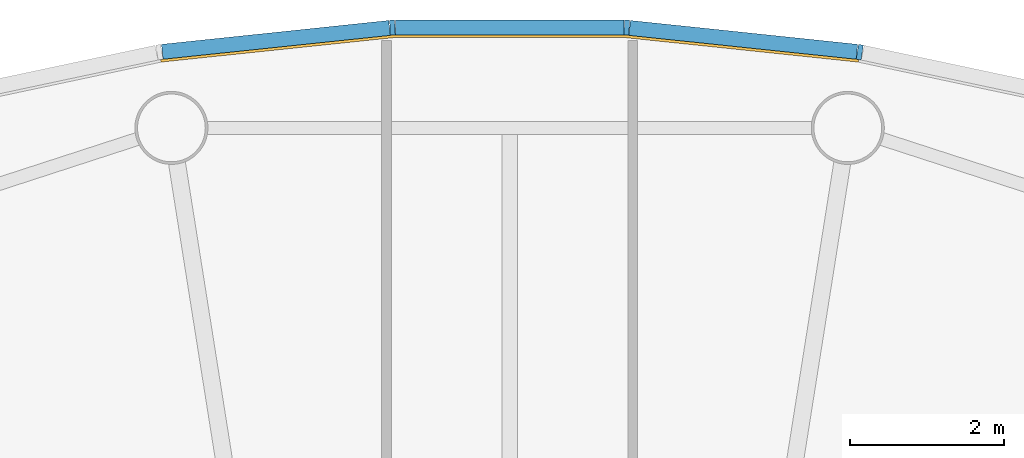
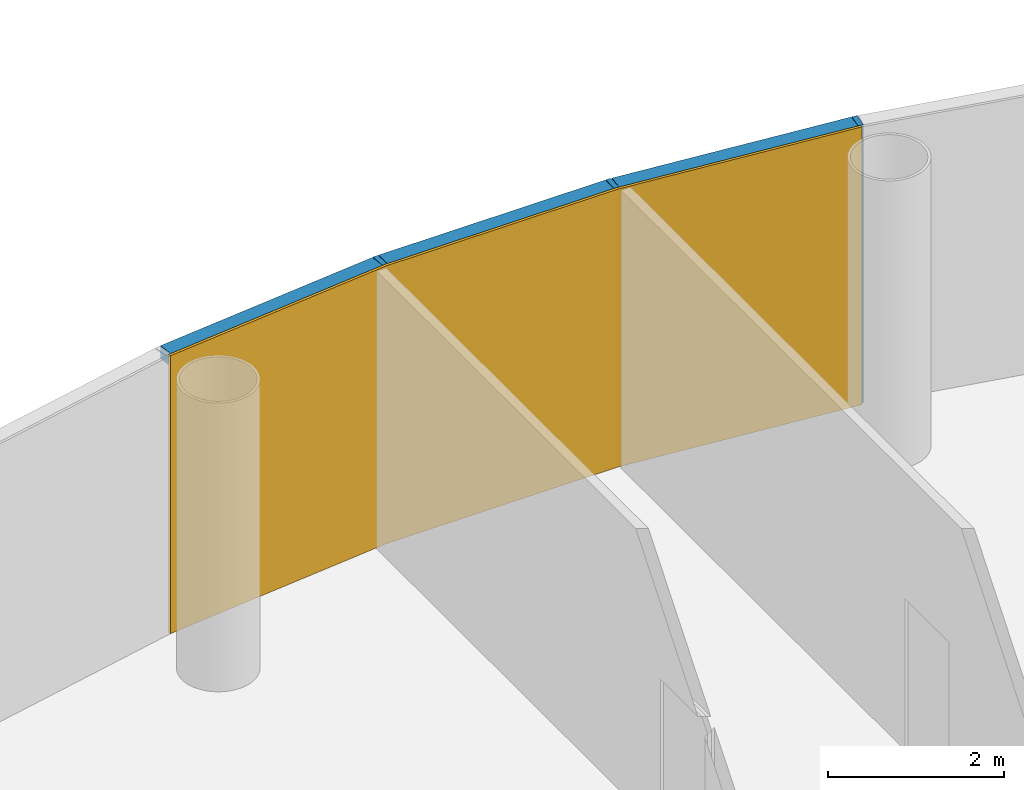
# One storey, part 11 of 13: 6 members, 1 curtain wall.
"""IFC4 building model written with IfcOpenShell, lengths in metres."""

from ifc_helpers import new_model, si_unit, direction, frame, origin, origin_2d, place, context, subcontext, project, spatial, polyline, rectangle, outline, extrude, material, layer, layer_set, material_profile, profile_set, type_object, element, aggregate, save


model = new_model("IFC4")

# Units and contexts
model_context = context("Model", 3, precision=1e-05, world=origin(), true_north=direction((0.0, 1.0)))
body_context = subcontext(model_context, "Body", "Model", "MODEL_VIEW")
ifc_project = project(units=[si_unit("LENGTHUNIT", "METRE"), si_unit("AREAUNIT", "SQUARE_METRE"), si_unit("VOLUMEUNIT", "CUBIC_METRE"), si_unit("PLANEANGLEUNIT", "RADIAN"), si_unit("MASSUNIT", "GRAM", prefix="KILO")], contexts=[model_context])

# Member
ifc_material_1 = material(Name="Anodised aluminium", Category="aluminium")
ifc_material_profile_1 = material_profile(ifc_material_1, rectangle(XDim=0.06494140625, YDim=0.195068359375, at=origin_2d()), Name="Mullion 65 x 195 mm anodised aluminium")
ifc_profile_set_1 = profile_set([ifc_material_profile_1], Name="Anodised aluminium")
member_type_1 = type_object("IfcMemberType", Name="Mullion 65 x 195 mm anodised aluminium", PredefinedType="MULLION", material=ifc_profile_set_1)
site_placement = place(None, origin())
building_placement = place(site_placement, origin())
storey_placement = place(building_placement, frame((0.0, 0.0, 286.0)))
member_1_placement = place(storey_placement, frame((94.5517578125, 108.7392578125, 0.0), z_axis=(0.0, 0.0, 1.0), x_axis=(-0.987688340595, 0.15643446504, 0.0)))
member_1 = element("IfcMember", 1, at=member_1_placement, type_object=member_type_1, Name="MULLION L65-12", PredefinedType="MULLION", context=body_context, shape_type="SweptSolid", body=[
    extrude(rectangle(XDim=0.06494140625, YDim=0.195068359375, at=origin_2d()), origin(), (0.0, 0.0, 1.0), 3.85009765625),
])

member_2_placement = place(storey_placement, frame((91.52294921875, 109.0576171875, 0.0), z_axis=(0.0, 0.0, 1.0), x_axis=(-0.998629534755, 0.052335956243, 0.0)))
member_2 = element("IfcMember", 2, at=member_2_placement, type_object=member_type_1, Name="MULLION L65-13", PredefinedType="MULLION", context=body_context, shape_type="SweptSolid", body=[
    extrude(rectangle(XDim=0.06494140625, YDim=0.195068359375, at=origin_2d()), origin(), (0.0, 0.0, 1.0), 3.85009765625),
])

member_3_placement = place(storey_placement, frame((88.47705078125, 109.0576171875, 0.0), z_axis=(0.0, 0.0, 1.0), x_axis=(-0.998629534755, -0.052335956243, 0.0)))
member_3 = element("IfcMember", 3, at=member_3_placement, type_object=member_type_1, Name="MULLION L65-14", PredefinedType="MULLION", context=body_context, shape_type="SweptSolid", body=[
    extrude(rectangle(XDim=0.06494140625, YDim=0.195068359375, at=origin_2d()), origin(), (0.0, 0.0, 1.0), 3.85009765625),
])

ifc_material_2 = material(Name="Anodised aluminium", Category="aluminium")
ifc_material_profile_2 = material_profile(ifc_material_2, rectangle(XDim=0.195068359375, YDim=0.179931640625, at=origin_2d()), Name="Transom 180 x 195 mm anodised aluminium")
ifc_profile_set_2 = profile_set([ifc_material_profile_2], Name="Anodised aluminium")
member_type_2 = type_object("IfcMemberType", Name="Transom 180 x 195 mm anodised aluminium", PredefinedType="USERDEFINED", material=ifc_profile_set_2)
member_4_placement = place(storey_placement, frame((94.514404296875, 108.743408203125, 3.760009765625), z_axis=(-0.994528397827, 0.104466577987, 0.0), x_axis=(-0.104466577987, -0.994528397827, 0.0)))
member_4 = element("IfcMember", 4, at=member_4_placement, type_object=member_type_2, Name="TRANSOM L65-12", ObjectType="TRANSOM", PredefinedType="USERDEFINED", context=body_context, shape_type="SweptSolid", body=[
    extrude(rectangle(XDim=0.195068359375, YDim=0.179931640625, at=origin_2d()), origin(), (0.0, 0.0, 1.0), 2.970458984375),
])

member_5_placement = place(storey_placement, frame((91.4853515625, 109.057861328125, 3.760009765625), z_axis=(-1.0, 0.0, 0.0), x_axis=(0.0, -1.0, 0.0)))
member_5 = element("IfcMember", 5, at=member_5_placement, type_object=member_type_2, Name="TRANSOM L65-13", ObjectType="TRANSOM", PredefinedType="USERDEFINED", context=body_context, shape_type="SweptSolid", body=[
    extrude(rectangle(XDim=0.195068359375, YDim=0.179931640625, at=origin_2d()), origin(), (0.0, 0.0, 1.0), 2.970703125),
])

member_6_placement = place(storey_placement, frame((88.439697265625, 109.0537109375, 3.760009765625), z_axis=(-0.994528397827, -0.104466577987, 0.0), x_axis=(0.104466577987, -0.994528397827, 0.0)))
member_6 = element("IfcMember", 6, at=member_6_placement, type_object=member_type_2, Name="TRANSOM L65-14", ObjectType="TRANSOM", PredefinedType="USERDEFINED", context=body_context, shape_type="SweptSolid", body=[
    extrude(rectangle(XDim=0.195068359375, YDim=0.179931640625, at=origin_2d()), origin(), (0.0, 0.0, 1.0), 2.970458984375),
])

# Site, building, storey
site = spatial("IfcSite", under=ifc_project, at=site_placement, CompositionType="ELEMENT")
building = spatial("IfcBuilding", under=site, at=building_placement, Name="Entoto Ring Tower", CompositionType="ELEMENT")
storey = spatial("IfcBuildingStorey", under=building, at=storey_placement, Name="L65", CompositionType="ELEMENT", Elevation=286.0)

# Curtain wall
ifc_material_3 = material(Name="Clear low-iron glass", Category="glass")
ifc_layer = layer(ifc_material_3, 0.033935546875)
ifc_layer_set = layer_set([ifc_layer], Name="Clear low-iron glass")
curtain_wall_type = type_object("IfcCurtainWallType", Name="Curtain wall system CW5 glazing 34 mm", PredefinedType="NOTDEFINED", material=ifc_layer_set)
curtain_wall_placement = place(storey_placement, origin())
curtain_wall = element("IfcCurtainWall", 7, at=curtain_wall_placement, inside=storey, type_object=curtain_wall_type, Name="CW5 L65-05", PredefinedType="NOTDEFINED", context=body_context, shape_type="SweptSolid", body=[
    extrude(outline(polyline([(94.53662109375, 108.64306640625), (91.517822265625, 108.960205078125), (88.482177734375, 108.960205078125), (85.46337890625, 108.64306640625), (85.46875, 108.609375), (88.484130859375, 108.92626953125), (91.515869140625, 108.92626953125), (94.53125, 108.609375), (94.53662109375, 108.64306640625)])), origin(), (0.0, 0.0, 1.0), 3.85009765625),
])

aggregate(curtain_wall, [member_1, member_2, member_3, member_4, member_5, member_6])

save(model, "model.ifc")
